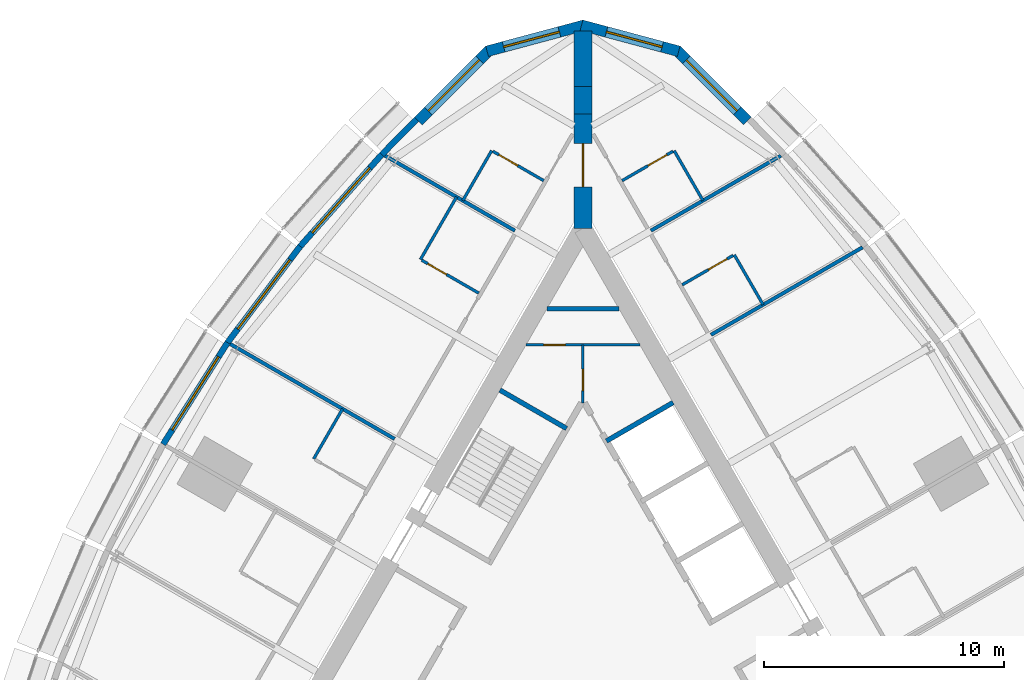
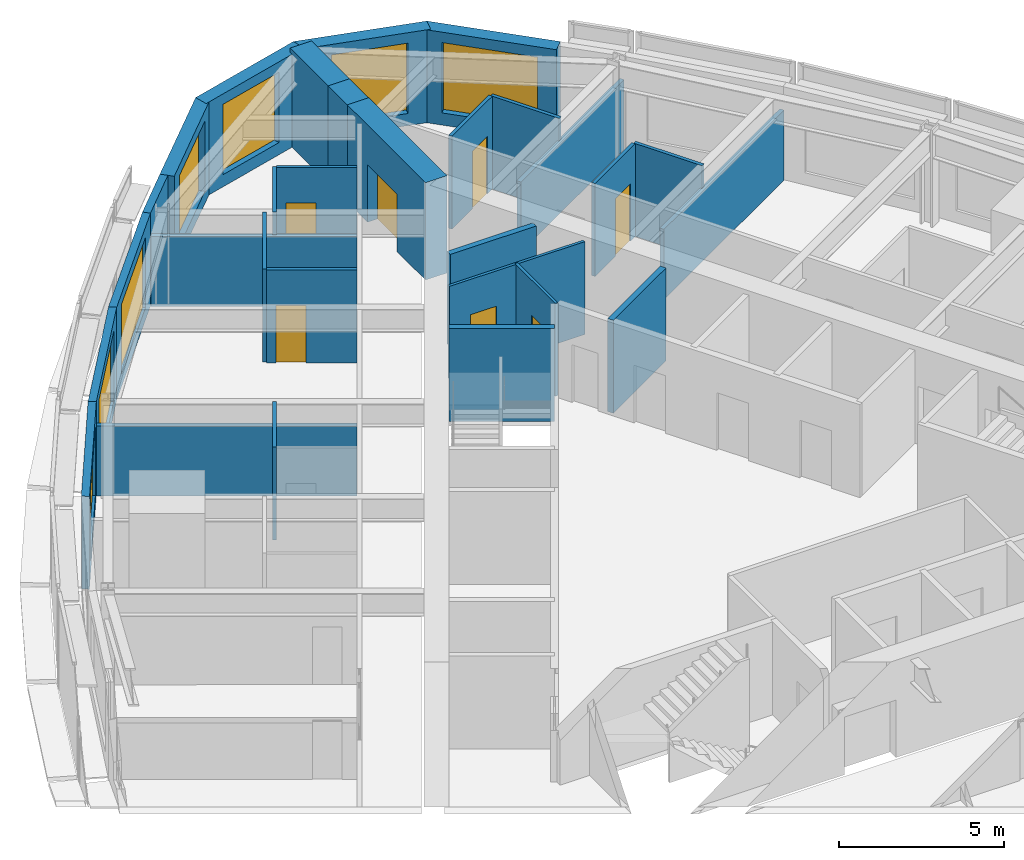
# One storey, part 13 of 15: 29 walls, 7 doors, 7 windows, 14 openings.
"""IFC4 building model written with IfcOpenShell, lengths in metres."""

import ifcopenshell
import ifcopenshell.guid

model = None  # the IFC model being written
_history = None  # IfcOwnerHistory: only IFC2X3 demands one
_inside = {}  # id of a spatial element -> (the spatial element, [elements in it])
_under = {}  # id of a project, library or spatial element -> (it, [spatial elements below it])
_declared = {}  # id of a project -> (the project, [libraries it declares])
_typed = {}  # id of a type object -> (the type object, [elements of that type])
_made_of = {}  # id of a material, layer set ... -> (it, [elements and type objects made of it])


def new_model(schema):
    """Start an empty IFC model of exactly this schema.

    Asked for "IFC4X3", IfcOpenShell would pick the latest addendum, in which some entities
    have other attributes; the version numbers below select the first issue.
    IFC2X3 requires an IfcOwnerHistory on every rooted entity: one is made here for all.
    """
    global model, _history
    if schema == "IFC4X3":
        model = ifcopenshell.file(schema_version=(4, 3, 0, 0))
    else:
        model = ifcopenshell.file(schema=schema)
    _inside.clear()
    _under.clear()
    _declared.clear()
    _typed.clear()
    _made_of.clear()
    _history = None
    if model.schema == "IFC2X3":
        org = make("IfcOrganization", Name="unknown")
        user = make(
            "IfcPersonAndOrganization",
            ThePerson=make("IfcPerson", FamilyName="unknown"),
            TheOrganization=org,
        )
        app = make(
            "IfcApplication",
            ApplicationDeveloper=org,
            Version="unknown",
            ApplicationFullName="unknown",
            ApplicationIdentifier="unknown",
        )
        _history = make(
            "IfcOwnerHistory",
            OwningUser=user,
            OwningApplication=app,
            ChangeAction="ADDED",
            CreationDate=0,
        )
    return model


def make(cls, **values):
    """One entity of the class cls with the attributes given. An attribute that is None is left unset."""
    return model.create_entity(
        cls, **{name: value for name, value in values.items() if value is not None}
    )


def rooted(cls, **values):
    """An entity with a GlobalId (a new one), such as an element, a storey or a relation."""
    return make(cls, GlobalId=ifcopenshell.guid.new(), OwnerHistory=_history, **values)


def si_unit(unit_type, name, prefix=None):
    """IfcSIUnit, for example si_unit("LENGTHUNIT", "METRE", prefix="MILLI")."""
    return make("IfcSIUnit", UnitType=unit_type, Prefix=prefix, Name=name)


def assignment(units):
    """IfcUnitAssignment: the units of a project."""
    return None if units is None else make("IfcUnitAssignment", Units=units)


def point(xyz):
    """IfcCartesianPoint."""
    return None if xyz is None else make("IfcCartesianPoint", Coordinates=xyz)


def direction(xyz):
    """IfcDirection."""
    return None if xyz is None else make("IfcDirection", DirectionRatios=xyz)


def frame(location, z_axis=None, x_axis=None):
    """IfcAxis2Placement3D, a coordinate frame: its origin and axes. An axis left out is left unset."""
    return make(
        "IfcAxis2Placement3D",
        Location=point(location),
        Axis=direction(z_axis),
        RefDirection=direction(x_axis),
    )


def frame_2d(location, x_axis=None):
    """IfcAxis2Placement2D, a coordinate frame in the plane: its origin and x axis."""
    return make(
        "IfcAxis2Placement2D", Location=point(location), RefDirection=direction(x_axis)
    )


def origin():
    """The frame at (0, 0, 0) with its axes left unset."""
    return frame((0.0, 0.0, 0.0))


def place(relative_to, where):
    """IfcLocalPlacement: puts the frame where relative to a parent placement (None: the world)."""
    return make(
        "IfcLocalPlacement", PlacementRelTo=relative_to, RelativePlacement=where
    )


def context(
    kind, dimensions, precision=None, world=None, true_north=None, identifier=None
):
    """IfcGeometricRepresentationContext, for example the 3D "Model" context."""
    return make(
        "IfcGeometricRepresentationContext",
        ContextIdentifier=identifier,
        ContextType=kind,
        CoordinateSpaceDimension=dimensions,
        Precision=precision,
        WorldCoordinateSystem=world,
        TrueNorth=true_north,
    )


def subcontext(parent, identifier, kind, view, scale=None):
    """IfcGeometricRepresentationSubContext, for example "Body" below "Model"."""
    return make(
        "IfcGeometricRepresentationSubContext",
        ContextIdentifier=identifier,
        ContextType=kind,
        ParentContext=parent,
        TargetScale=scale,
        TargetView=view,
    )


def project(units=None, contexts=None):
    """IfcProject with its units and contexts."""
    return rooted(
        "IfcProject",
        Name="project",
        RepresentationContexts=contexts,
        UnitsInContext=assignment(units),
    )


def spatial(cls, under=None, at=None, **own):
    """A site, building, storey or space (cls), placed at a placement, below another one or the project."""
    s = rooted(cls, ObjectPlacement=at, **own)
    if under is not None:
        _under.setdefault(under.id(), (under, []))[1].append(s)
    return s


def polyline(points):
    """IfcPolyline through the points."""
    return make("IfcPolyline", Points=[point(p) for p in points])


def profile(cls, at=None, kind="AREA", **sizes):
    """A parametric profile (cls). Its sizes go by their IFC names, for example OverallWidth=200.0."""
    return make(cls, ProfileType=kind, Position=at, **sizes)


def rectangle(**sizes):
    """IfcRectangleProfileDef."""
    return profile("IfcRectangleProfileDef", **sizes)


def outline(outer, holes=None, kind="AREA"):
    """IfcArbitraryClosedProfileDef: a profile drawn as a closed curve; with holes, ...WithVoids."""
    if holes is None:
        return make("IfcArbitraryClosedProfileDef", ProfileType=kind, OuterCurve=outer)
    return make(
        "IfcArbitraryProfileDefWithVoids",
        ProfileType=kind,
        OuterCurve=outer,
        InnerCurves=holes,
    )


def extrude(swept, where, along, depth):
    """IfcExtrudedAreaSolid: the profile swept, set in the frame where, extruded along a direction by depth."""
    return make(
        "IfcExtrudedAreaSolid",
        SweptArea=swept,
        Position=where,
        ExtrudedDirection=direction(along),
        Depth=depth,
    )


def shape(context_of_items, identifier, shape_type, items):
    """IfcShapeRepresentation: the items that make up one representation, for example the "Body"."""
    return make(
        "IfcShapeRepresentation",
        ContextOfItems=context_of_items,
        RepresentationIdentifier=identifier,
        RepresentationType=shape_type,
        Items=items,
    )


def material(Name=None, Category=None):
    """IfcMaterial."""
    return make("IfcMaterial", Name=Name, Category=Category)


def layer(
    of_material, thickness, ventilated=None, Name=None, Category=None, Priority=None
):
    """IfcMaterialLayer: one layer of a wall or slab, of a material (None: an air gap)."""
    return make(
        "IfcMaterialLayer",
        Material=of_material,
        LayerThickness=thickness,
        IsVentilated=ventilated,
        Name=Name,
        Category=Category,
        Priority=Priority,
    )


def layer_set(layers, Name=None):
    """IfcMaterialLayerSet."""
    return make("IfcMaterialLayerSet", MaterialLayers=layers, LayerSetName=Name)


def made_of(thing, what):
    """Note that an element or type object is made of a material, layer set ...; save() writes the relation."""
    if what is not None:
        _made_of.setdefault(what.id(), (what, []))[1].append(thing)
    return thing


def type_object(cls, material=None, **own):
    """A type object (cls), such as IfcWallType, which elements share."""
    return made_of(rooted(cls, **own), material)


def element(
    cls,
    number,
    at=None,
    inside=None,
    cuts=None,
    type_object=None,
    material=None,
    context=None,
    identifier="Body",
    shape_type=None,
    held_by="IfcProductDefinitionShape",
    body=None,
    shapes=None,
    **own,
):
    """One element of the class cls, such as IfcWall. Its Tag is "e" and its number.

    at: its placement. inside: the storey or other place that contains it. cuts: it is an
    opening in that element (IfcRelVoidsElement). A single representation is given by context,
    identifier, shape_type and body (its items); several are given by shapes. held_by: the class
    of the entity that holds the representations. save() writes the other relations.
    """
    e = rooted(cls, Tag="e%d" % number, ObjectPlacement=at, **own)
    if body is not None:
        shapes = [shape(context, identifier, shape_type, body)]
    if shapes is not None:
        e.Representation = make(held_by, Representations=shapes)
    if inside is not None:
        _inside.setdefault(inside.id(), (inside, []))[1].append(e)
    if cuts is not None:
        rooted(
            "IfcRelVoidsElement", RelatingBuildingElement=cuts, RelatedOpeningElement=e
        )
    if type_object is not None:
        _typed.setdefault(type_object.id(), (type_object, []))[1].append(e)
    return made_of(e, material)


def fill(opening, filler):
    """IfcRelFillsElement: the door or window that sits in an opening."""
    return rooted(
        "IfcRelFillsElement",
        RelatingOpeningElement=opening,
        RelatedBuildingElement=filler,
    )


def aggregate(whole, parts):
    """IfcRelAggregates: a whole, such as a stair, and the parts it consists of."""
    return rooted("IfcRelAggregates", RelatingObject=whole, RelatedObjects=parts)


def save(model, path):
    """Write the relations noted so far, then the file.

    IfcRelAggregates (storeys below a building ...), IfcRelContainedInSpatialStructure (elements
    in a storey), IfcRelDefinesByType, IfcRelAssociatesMaterial and IfcRelDeclares: one each for
    every whole, place, type object, material and project.
    """
    for whole, parts in _under.values():
        aggregate(whole, parts)
    for where, things in _inside.values():
        rooted(
            "IfcRelContainedInSpatialStructure",
            RelatedElements=things,
            RelatingStructure=where,
        )
    for kind, things in _typed.values():
        rooted("IfcRelDefinesByType", RelatedObjects=things, RelatingType=kind)
    for what, things in _made_of.values():
        rooted("IfcRelAssociatesMaterial", RelatedObjects=things, RelatingMaterial=what)
    for by, libraries in _declared.values():
        rooted("IfcRelDeclares", RelatingContext=by, RelatedDefinitions=libraries)
    model.write(path)


model = new_model("IFC4")

# Units and contexts
model_context = context("Model", 3, precision=1e-05, world=origin(), true_north=direction((0.0, 1.0)))
body_context = subcontext(model_context, "Body", "Model", "MODEL_VIEW")
ifc_project = project(units=[si_unit("LENGTHUNIT", "METRE"), si_unit("AREAUNIT", "SQUARE_METRE"), si_unit("VOLUMEUNIT", "CUBIC_METRE"), si_unit("PLANEANGLEUNIT", "RADIAN"), si_unit("MASSUNIT", "GRAM", prefix="KILO")], contexts=[model_context])

# Site, building, storey
site_placement = place(None, origin())
site = spatial("IfcSite", under=ifc_project, at=site_placement, CompositionType="ELEMENT")
building_placement = place(site_placement, origin())
building = spatial("IfcBuilding", under=site, at=building_placement, Name="Trikona Tower", CompositionType="ELEMENT")
storey_placement = place(building_placement, frame((0.0, 0.0, 204.5)))
storey = spatial("IfcBuildingStorey", under=building, at=storey_placement, Name="L54", CompositionType="ELEMENT", Elevation=204.5)

# Wall
ifc_material_1 = material(Name="Metal stud and cement board", Category="gypsum")
ifc_layer_1 = layer(ifc_material_1, 0.1201171875)
ifc_layer_set_1 = layer_set([ifc_layer_1], Name="Bathroom wall 120")
wall_type_1 = type_object("IfcWallType", Name="Bathroom wall 120", PredefinedType="PLUMBINGWALL", material=ifc_layer_set_1)
wall_1_placement = place(storey_placement, frame((7.493408203125, 15.873291015625, 0.0), z_axis=(0.0, 0.0, 1.0), x_axis=(-0.499957262057, 0.866050077142, 0.0)))
element("IfcWall", 1, at=wall_1_placement, inside=storey, type_object=wall_type_1, Name="Bathroom wall 5410", PredefinedType="PLUMBINGWALL", context=body_context, shape_type="SweptSolid", body=[
    extrude(rectangle(XDim=2.400146484375, YDim=0.1201171875, at=frame_2d((1.2001953125, 0.0))), origin(), (0.0, 0.0, 1.0), 3.43505859375),
])

# Wall, opening, door
wall_2_placement = place(storey_placement, frame((4.12841796875, 16.701904296875, 0.0), z_axis=(0.0, 0.0, 1.0), x_axis=(0.866048967903, 0.499959183527, 0.0)))
wall_2 = element("IfcWall", 2, at=wall_2_placement, inside=storey, type_object=wall_type_1, Name="Bathroom wall 5410", PredefinedType="PLUMBINGWALL", context=body_context, shape_type="SweptSolid", body=[
    extrude(rectangle(XDim=2.440185546875, YDim=0.1201171875, at=frame_2d((1.22021484375, 0.0))), origin(), (0.0, 0.0, 1.0), 3.43505859375),
])
opening_1_placement = place(wall_2_placement, frame((1.25, 0.0, 0.0)))
opening_1 = element("IfcOpeningElement", 3, at=opening_1_placement, cuts=wall_2, Name="Opening D2", PredefinedType="OPENING", context=body_context, shape_type="SweptSolid", body=[
    extrude(rectangle(XDim=0.89990234375, YDim=2.1298828125, at=frame_2d((0.449951171875, 1.06494140625))), frame((0.0, 0.070068359375, 0.0), z_axis=(0.0, -1.0, 0.0), x_axis=(1.0, 0.0, 0.0)), (0.0, 0.0, 1.0), 0.14013671875),
])
ifc_material_2 = material(Name="Steel door frame with solid-core timber leaf", Category="steel")
door_type_1 = type_object("IfcDoorType", Name="Bathroom door 900x2130", OperationType="SLIDING_TO_LEFT", PredefinedType="DOOR", material=ifc_material_2)
door_1_placement = place(opening_1_placement, origin())
door_1 = element("IfcDoor", 4, at=door_1_placement, inside=storey, type_object=door_type_1, Name="Bathroom door 5410", OperationType="SLIDING_TO_LEFT", OverallHeight=2.1298828125, OverallWidth=0.89990234375, PredefinedType="DOOR", context=body_context, shape_type="SweptSolid", body=[
    extrude(rectangle(XDim=0.89990234375, YDim=2.1298828125, at=frame_2d((0.449951171875, 1.06494140625))), frame((0.0, 0.02490234375, 0.0), z_axis=(0.0, -1.0, 0.0), x_axis=(1.0, 0.0, 0.0)), (0.0, 0.0, 1.0), 0.050048828125),
])
fill(opening_1, door_1)

# Wall
wall_3_placement = place(storey_placement, frame((4.993408203125, 20.20361328125, 0.0), z_axis=(0.0, 0.0, 1.0), x_axis=(-0.500001309137, 0.866024647952, 0.0)))
element("IfcWall", 5, at=wall_3_placement, inside=storey, type_object=wall_type_1, Name="Bathroom wall 5411", PredefinedType="PLUMBINGWALL", context=body_context, shape_type="SweptSolid", body=[
    extrude(rectangle(XDim=2.39990234375, YDim=0.1201171875, at=frame_2d((1.199951171875, 0.0))), origin(), (0.0, 0.0, 1.0), 3.43505859375),
])

# Wall, opening, door
wall_4_placement = place(storey_placement, frame((1.62841796875, 21.031982421875, 0.0), z_axis=(0.0, 0.0, 1.0), x_axis=(0.866048967903, 0.499959183527, 0.0)))
wall_4 = element("IfcWall", 6, at=wall_4_placement, inside=storey, type_object=wall_type_1, Name="Bathroom wall 5411", PredefinedType="PLUMBINGWALL", context=body_context, shape_type="SweptSolid", body=[
    extrude(rectangle(XDim=2.440185546875, YDim=0.1201171875, at=frame_2d((1.22021484375, 0.0))), origin(), (0.0, 0.0, 1.0), 3.43505859375),
])
opening_2_placement = place(wall_4_placement, frame((1.25, 0.0, 0.0)))
opening_2 = element("IfcOpeningElement", 7, at=opening_2_placement, cuts=wall_4, Name="Opening D2", PredefinedType="OPENING", context=body_context, shape_type="SweptSolid", body=[
    extrude(rectangle(XDim=0.89990234375, YDim=2.1298828125, at=frame_2d((0.449951171875, 1.06494140625))), frame((0.0, 0.070068359375, 0.0), z_axis=(0.0, -1.0, 0.0), x_axis=(1.0, 0.0, 0.0)), (0.0, 0.0, 1.0), 0.14013671875),
])
door_2_placement = place(opening_2_placement, origin())
door_2 = element("IfcDoor", 8, at=door_2_placement, inside=storey, type_object=door_type_1, Name="Bathroom door 5411", OperationType="SLIDING_TO_LEFT", OverallHeight=2.1298828125, OverallWidth=0.89990234375, PredefinedType="DOOR", context=body_context, shape_type="SweptSolid", body=[
    extrude(rectangle(XDim=0.89990234375, YDim=2.1298828125, at=frame_2d((0.449951171875, 1.06494140625))), frame((0.0, 0.02490234375, 0.0), z_axis=(0.0, -1.0, 0.0), x_axis=(1.0, 0.0, 0.0)), (0.0, 0.0, 1.0), 0.050048828125),
])
fill(opening_2, door_2)

# Wall
wall_5_placement = place(storey_placement, frame((-3.79345703125, 22.281982421875, 0.0), z_axis=(0.0, 0.0, 1.0), x_axis=(-0.500001309137, -0.866024647952, 0.0)))
element("IfcWall", 9, at=wall_5_placement, inside=storey, type_object=wall_type_1, Name="Bathroom wall 5412", PredefinedType="PLUMBINGWALL", context=body_context, shape_type="SweptSolid", body=[
    extrude(rectangle(XDim=2.39990234375, YDim=0.1201171875, at=frame_2d((1.199951171875, 0.0))), origin(), (0.0, 0.0, 1.0), 3.43505859375),
])

# Wall, opening, door
wall_6_placement = place(storey_placement, frame((-1.62841796875, 21.031982421875, 0.0), z_axis=(0.0, 0.0, 1.0), x_axis=(-0.866048967903, 0.499959183527, 0.0)))
wall_6 = element("IfcWall", 10, at=wall_6_placement, inside=storey, type_object=wall_type_1, Name="Bathroom wall 5412", PredefinedType="PLUMBINGWALL", context=body_context, shape_type="SweptSolid", body=[
    extrude(rectangle(XDim=2.440185546875, YDim=0.1201171875, at=frame_2d((1.22021484375, 0.0))), origin(), (0.0, 0.0, 1.0), 3.43505859375),
])
opening_3_placement = place(wall_6_placement, frame((1.25, 0.0, 0.0)))
opening_3 = element("IfcOpeningElement", 11, at=opening_3_placement, cuts=wall_6, Name="Opening D2", PredefinedType="OPENING", context=body_context, shape_type="SweptSolid", body=[
    extrude(rectangle(XDim=0.89990234375, YDim=2.1298828125, at=frame_2d((0.449951171875, 1.06494140625))), frame((0.0, 0.070068359375, 0.0), z_axis=(0.0, -1.0, 0.0), x_axis=(1.0, 0.0, 0.0)), (0.0, 0.0, 1.0), 0.14013671875),
])
door_3_placement = place(opening_3_placement, origin())
door_3 = element("IfcDoor", 12, at=door_3_placement, inside=storey, type_object=door_type_1, Name="Bathroom door 5412", OperationType="SLIDING_TO_LEFT", OverallHeight=2.1298828125, OverallWidth=0.89990234375, PredefinedType="DOOR", context=body_context, shape_type="SweptSolid", body=[
    extrude(rectangle(XDim=0.89990234375, YDim=2.1298828125, at=frame_2d((0.449951171875, 1.06494140625))), frame((0.0, 0.02490234375, 0.0), z_axis=(0.0, -1.0, 0.0), x_axis=(1.0, 0.0, 0.0)), (0.0, 0.0, 1.0), 0.050048828125),
])
fill(opening_3, door_3)

# Wall
wall_7_placement = place(storey_placement, frame((-5.25341796875, 20.353515625, 0.0), z_axis=(0.0, 0.0, 1.0), x_axis=(-0.499990139034, -0.866031096941, 0.0)))
element("IfcWall", 13, at=wall_7_placement, inside=storey, type_object=wall_type_1, Name="Bathroom wall 5413", PredefinedType="PLUMBINGWALL", context=body_context, shape_type="SweptSolid", body=[
    extrude(rectangle(XDim=3.0, YDim=0.1201171875, at=frame_2d((1.5, 0.0))), origin(), (0.0, 0.0, 1.0), 3.43505859375),
])

# Wall, opening, door
wall_8_placement = place(storey_placement, frame((-4.32861328125, 16.35546875, 0.0), z_axis=(0.0, 0.0, 1.0), x_axis=(-0.866035715982, 0.499982138324, 0.0)))
wall_8 = element("IfcWall", 14, at=wall_8_placement, inside=storey, type_object=wall_type_1, Name="Bathroom wall 5413", PredefinedType="PLUMBINGWALL", context=body_context, shape_type="SweptSolid", body=[
    extrude(rectangle(XDim=2.73974609375, YDim=0.1201171875, at=frame_2d((1.369873046875, 0.0))), origin(), (0.0, 0.0, 1.0), 3.43505859375),
])
opening_4_placement = place(wall_8_placement, frame((1.550048828125, 0.0, 0.0)))
opening_4 = element("IfcOpeningElement", 15, at=opening_4_placement, cuts=wall_8, Name="Opening D2", PredefinedType="OPENING", context=body_context, shape_type="SweptSolid", body=[
    extrude(rectangle(XDim=0.89990234375, YDim=2.1298828125, at=frame_2d((0.449951171875, 1.06494140625))), frame((0.0, 0.070068359375, 0.0), z_axis=(0.0, -1.0, 0.0), x_axis=(1.0, 0.0, 0.0)), (0.0, 0.0, 1.0), 0.14013671875),
])
door_4_placement = place(opening_4_placement, origin())
door_4 = element("IfcDoor", 16, at=door_4_placement, inside=storey, type_object=door_type_1, Name="Bathroom door 5413", OperationType="SLIDING_TO_LEFT", OverallHeight=2.1298828125, OverallWidth=0.89990234375, PredefinedType="DOOR", context=body_context, shape_type="SweptSolid", body=[
    extrude(rectangle(XDim=0.89990234375, YDim=2.1298828125, at=frame_2d((0.449951171875, 1.06494140625))), frame((0.0, 0.02490234375, 0.0), z_axis=(0.0, -1.0, 0.0), x_axis=(1.0, 0.0, 0.0)), (0.0, 0.0, 1.0), 0.050048828125),
])
fill(opening_4, door_4)

# Wall
wall_9_placement = place(storey_placement, frame((-9.993408203125, 11.543212890625, 0.0), z_axis=(0.0, 0.0, 1.0), x_axis=(-0.500077600433, -0.865980596518, 0.0)))
element("IfcWall", 17, at=wall_9_placement, inside=storey, type_object=wall_type_1, Name="Bathroom wall 5414", PredefinedType="PLUMBINGWALL", context=body_context, shape_type="SweptSolid", body=[
    extrude(rectangle(XDim=2.39990234375, YDim=0.1201171875, at=frame_2d((1.199951171875, 0.0))), origin(), (0.0, 0.0, 1.0), 3.43505859375),
])

# Wall, opening, window
ifc_material_3 = material(Name="Brick-faced precast concrete", Category="masonry")
ifc_layer_2 = layer(ifc_material_3, 0.449951171875)
ifc_layer_set_2 = layer_set([ifc_layer_2], Name="Brick-faced corner wall 450")
wall_type_2 = type_object("IfcWallType", Name="Brick-faced corner wall 450", PredefinedType="SOLIDWALL", material=ifc_layer_set_2)
wall_10_placement = place(storey_placement, frame((6.8408203125, 23.51220703125, 0.0), z_axis=(0.0, 0.0, 1.0), x_axis=(-0.707106781187, 0.707106781187, 0.0)))
wall_10 = element("IfcWall", 18, at=wall_10_placement, inside=storey, type_object=wall_type_2, Name="External wall L54-20", PredefinedType="SOLIDWALL", context=body_context, shape_type="SweptSolid", body=[
    extrude(rectangle(XDim=4.183837890625, YDim=0.449951171875, at=frame_2d((2.091796875, 0.0))), origin(), (0.0, 0.0, 1.0), 3.43505859375),
])
opening_5_placement = place(wall_10_placement, frame((0.592041015625, 0.0, 0.449951171875)))
opening_5 = element("IfcOpeningElement", 19, at=opening_5_placement, cuts=wall_10, Name="Opening W3026", PredefinedType="OPENING", context=body_context, shape_type="SweptSolid", body=[
    extrude(rectangle(XDim=3.0, YDim=2.60009765625, at=frame_2d((1.5, 1.300048828125))), frame((0.0, 0.23486328125, 0.0), z_axis=(0.0, -1.0, 0.0), x_axis=(1.0, 0.0, 0.0)), (0.0, 0.0, 1.0), 0.469970703125),
])
ifc_material_4 = material(Name="Aluminium-framed double glazing", Category="aluminium")
window_type_1 = type_object("IfcWindowType", Name="Window 3000x2600", PartitioningType="SINGLE_PANEL", PredefinedType="WINDOW", material=ifc_material_4)
window_1_placement = place(opening_5_placement, origin())
window_1 = element("IfcWindow", 20, at=window_1_placement, inside=storey, type_object=window_type_1, Name="Window 5411", OverallHeight=2.60009765625, OverallWidth=3.0, PartitioningType="SINGLE_PANEL", PredefinedType="WINDOW", context=body_context, shape_type="SweptSolid", body=[
    extrude(rectangle(XDim=3.0, YDim=2.60009765625, at=frame_2d((1.5, 1.300048828125))), frame((0.0, 0.030029296875, 0.0), z_axis=(0.0, -1.0, 0.0), x_axis=(1.0, 0.0, 0.0)), (0.0, 0.0, 1.0), 0.06005859375),
])
fill(opening_5, window_1)

wall_11_placement = place(storey_placement, frame((3.9833984375, 26.41259765625, 0.0), z_axis=(0.0, 0.0, 1.0), x_axis=(-0.965920442324, 0.258839137498, 0.0)))
wall_11 = element("IfcWall", 21, at=wall_11_placement, inside=storey, type_object=wall_type_2, Name="External wall L54-21", PredefinedType="SOLIDWALL", context=body_context, shape_type="SweptSolid", body=[
    extrude(outline(polyline([(4.18408203125, 0.22509765625), (4.124267578125, 0.22509765625), (3.70556640625, 0.11279296875), (3.675537109375, 0.22509765625), (0.0, 0.22509765625), (0.0, -0.22509765625), (4.18408203125, -0.22509765625), (4.18408203125, 0.22509765625)])), origin(), (0.0, 0.0, 1.0), 3.43505859375),
])
opening_6_placement = place(wall_11_placement, frame((0.712646484375, 0.0, 0.449951171875)))
opening_6 = element("IfcOpeningElement", 22, at=opening_6_placement, cuts=wall_11, Name="Opening W2426", PredefinedType="OPENING", context=body_context, shape_type="SweptSolid", body=[
    extrude(rectangle(XDim=2.39990234375, YDim=2.60009765625, at=frame_2d((1.199951171875, 1.300048828125))), frame((0.0, 0.23486328125, 0.0), z_axis=(0.0, -1.0, 0.0), x_axis=(1.0, 0.0, 0.0)), (0.0, 0.0, 1.0), 0.469970703125),
])
ifc_material_5 = material(Name="Aluminium-framed double glazing", Category="aluminium")
window_type_2 = type_object("IfcWindowType", Name="Window 2400x2600", PartitioningType="SINGLE_PANEL", PredefinedType="WINDOW", material=ifc_material_5)
window_2_placement = place(opening_6_placement, origin())
window_2 = element("IfcWindow", 23, at=window_2_placement, inside=storey, type_object=window_type_2, Name="Window 5411", OverallHeight=2.60009765625, OverallWidth=2.39990234375, PartitioningType="SINGLE_PANEL", PredefinedType="WINDOW", context=body_context, shape_type="SweptSolid", body=[
    extrude(rectangle(XDim=2.39990234375, YDim=2.60009765625, at=frame_2d((1.199951171875, 1.300048828125))), frame((0.0, 0.030029296875, 0.0), z_axis=(0.0, -1.0, 0.0), x_axis=(1.0, 0.0, 0.0)), (0.0, 0.0, 1.0), 0.06005859375),
])
fill(opening_6, window_2)

wall_12_placement = place(storey_placement, frame((0.05810546875, 27.49560546875, 0.0), z_axis=(0.0, 0.0, 1.0), x_axis=(-0.965920442324, -0.258839137498, 0.0)))
wall_12 = element("IfcWall", 24, at=wall_12_placement, inside=storey, type_object=wall_type_2, Name="External wall L54-22", PredefinedType="SOLIDWALL", context=body_context, shape_type="SweptSolid", body=[
    extrude(outline(polyline([(4.18408203125, 0.22509765625), (0.5087890625, 0.22509765625), (0.478515625, 0.11279296875), (0.059814453125, 0.22509765625), (0.0, 0.22509765625), (0.0, -0.22509765625), (4.18408203125, -0.22509765625), (4.18408203125, 0.22509765625)])), origin(), (0.0, 0.0, 1.0), 3.43505859375),
])
opening_7_placement = place(wall_12_placement, frame((1.0712890625, 0.0, 0.449951171875)))
opening_7 = element("IfcOpeningElement", 25, at=opening_7_placement, cuts=wall_12, Name="Opening W2426", PredefinedType="OPENING", context=body_context, shape_type="SweptSolid", body=[
    extrude(rectangle(XDim=2.39990234375, YDim=2.60009765625, at=frame_2d((1.199951171875, 1.300048828125))), frame((0.0, 0.23486328125, 0.0), z_axis=(0.0, -1.0, 0.0), x_axis=(1.0, 0.0, 0.0)), (0.0, 0.0, 1.0), 0.469970703125),
])
window_3_placement = place(opening_7_placement, origin())
window_3 = element("IfcWindow", 26, at=window_3_placement, inside=storey, type_object=window_type_2, Name="Window 5412", OverallHeight=2.60009765625, OverallWidth=2.39990234375, PartitioningType="SINGLE_PANEL", PredefinedType="WINDOW", context=body_context, shape_type="SweptSolid", body=[
    extrude(rectangle(XDim=2.39990234375, YDim=2.60009765625, at=frame_2d((1.199951171875, 1.300048828125))), frame((0.0, 0.030029296875, 0.0), z_axis=(0.0, -1.0, 0.0), x_axis=(1.0, 0.0, 0.0)), (0.0, 0.0, 1.0), 0.06005859375),
])
fill(opening_7, window_3)

wall_13_placement = place(storey_placement, frame((-3.88232421875, 26.470703125, 0.0), z_axis=(0.0, 0.0, 1.0), x_axis=(-0.707106781187, -0.707106781187, 0.0)))
wall_13 = element("IfcWall", 27, at=wall_13_placement, inside=storey, type_object=wall_type_2, Name="External wall L54-23", PredefinedType="SOLIDWALL", context=body_context, shape_type="SweptSolid", body=[
    extrude(rectangle(XDim=4.183837890625, YDim=0.449951171875, at=frame_2d((2.091796875, 0.0))), origin(), (0.0, 0.0, 1.0), 3.43505859375),
])
opening_8_placement = place(wall_13_placement, frame((0.592041015625, 0.0, 0.449951171875)))
opening_8 = element("IfcOpeningElement", 28, at=opening_8_placement, cuts=wall_13, Name="Opening W3026", PredefinedType="OPENING", context=body_context, shape_type="SweptSolid", body=[
    extrude(rectangle(XDim=3.0, YDim=2.60009765625, at=frame_2d((1.5, 1.300048828125))), frame((0.0, 0.23486328125, 0.0), z_axis=(0.0, -1.0, 0.0), x_axis=(1.0, 0.0, 0.0)), (0.0, 0.0, 1.0), 0.469970703125),
])
window_4_placement = place(opening_8_placement, origin())
window_4 = element("IfcWindow", 29, at=window_4_placement, inside=storey, type_object=window_type_1, Name="Window 5412", OverallHeight=2.60009765625, OverallWidth=3.0, PartitioningType="SINGLE_PANEL", PredefinedType="WINDOW", context=body_context, shape_type="SweptSolid", body=[
    extrude(rectangle(XDim=3.0, YDim=2.60009765625, at=frame_2d((1.5, 1.300048828125))), frame((0.0, 0.030029296875, 0.0), z_axis=(0.0, -1.0, 0.0), x_axis=(1.0, 0.0, 0.0)), (0.0, 0.0, 1.0), 0.06005859375),
])
fill(opening_8, window_4)

# Wall, opening, door
ifc_material_6 = material(Name="Concrete f'c 10000 psi", Category="concrete")
ifc_layer_3 = layer(ifc_material_6, 0.75)
ifc_layer_set_3 = layer_set([ifc_layer_3], Name="Buttress wall 750")
wall_type_3 = type_object("IfcWallType", Name="Buttress wall 750", PredefinedType="SHEAR", material=ifc_layer_set_3)
wall_14_placement = place(storey_placement, frame((0.0, 19.052490234375, 0.0), z_axis=(0.0, 0.0, 1.0), x_axis=(0.0, 1.0, 0.0)))
wall_14 = element("IfcWall", 30, at=wall_14_placement, inside=storey, type_object=wall_type_3, Name="Buttress wall 2", PredefinedType="SHEAR", context=body_context, shape_type="SweptSolid", body=[
    extrude(rectangle(XDim=4.74609375, YDim=0.75, at=frame_2d((2.373046875, 0.0))), origin(), (0.0, 0.0, 1.0), 3.60009765625),
])
opening_9_placement = place(wall_14_placement, frame((1.72509765625, 0.0, 0.0)))
opening_9 = element("IfcOpeningElement", 31, at=opening_9_placement, cuts=wall_14, Name="Opening D10", PredefinedType="OPENING", context=body_context, shape_type="SweptSolid", body=[
    extrude(rectangle(XDim=1.800048828125, YDim=2.1298828125, at=frame_2d((0.89990234375, 1.06494140625))), frame((0.0, 0.385009765625, 0.0), z_axis=(0.0, -1.0, 0.0), x_axis=(1.0, 0.0, 0.0)), (0.0, 0.0, 1.0), 0.77001953125),
])
ifc_material_7 = material(Name="Hollow metal door and frame", Category="steel")
door_type_2 = type_object("IfcDoorType", Name="Cross-corridor door pair 1800x2130", OperationType="DOUBLE_DOOR_DOUBLE_SWING", PredefinedType="DOOR", material=ifc_material_7)
door_5_placement = place(opening_9_placement, origin())
door_5 = element("IfcDoor", 32, at=door_5_placement, inside=storey, type_object=door_type_2, Name="Cross-corridor door 2", OperationType="DOUBLE_DOOR_DOUBLE_SWING", OverallHeight=2.1298828125, OverallWidth=1.800048828125, PredefinedType="DOOR", context=body_context, shape_type="SweptSolid", body=[
    extrude(rectangle(XDim=1.800048828125, YDim=2.1298828125, at=frame_2d((0.89990234375, 1.06494140625))), frame((0.0, 0.02490234375, 0.0), z_axis=(0.0, -1.0, 0.0), x_axis=(1.0, 0.0, 0.0)), (0.0, 0.0, 1.0), 0.050048828125),
])
fill(opening_9, door_5)

# Walls
wall_15_placement = place(storey_placement, frame((0.0, 23.798583984375, 0.0), z_axis=(0.0, 0.0, 1.0), x_axis=(0.0, 1.0, 0.0)))
element("IfcWall", 33, at=wall_15_placement, inside=storey, type_object=wall_type_3, Name="Buttress wall 2 part 2", PredefinedType="SHEAR", context=body_context, shape_type="SweptSolid", body=[
    extrude(rectangle(XDim=1.15478515625, YDim=0.75, at=frame_2d((0.577392578125, 0.0))), origin(), (0.0, 0.0, 1.0), 3.60009765625),
])
wall_16_placement = place(storey_placement, frame((0.0, 24.953369140625, 0.0), z_axis=(0.0, 0.0, 1.0), x_axis=(0.0, 1.0, 0.0)))
element("IfcWall", 34, at=wall_16_placement, inside=storey, type_object=wall_type_3, Name="Buttress wall 2 part 3", PredefinedType="SHEAR", context=body_context, shape_type="SweptSolid", body=[
    extrude(rectangle(XDim=2.309326171875, YDim=0.75, at=frame_2d((1.15478515625, 0.0))), origin(), (0.0, 0.0, 1.0), 3.60009765625),
])
ifc_material_8 = material(Name="Insulated precast concrete spandrel panel", Category="concrete")
ifc_layer_4 = layer(ifc_material_8, 0.25)
ifc_layer_set_4 = layer_set([ifc_layer_4], Name="Inner skin wall 250")
wall_type_4 = type_object("IfcWallType", Name="Inner skin wall 250", PredefinedType="STANDARD", material=ifc_layer_set_4)
wall_17_placement = place(storey_placement, frame((-6.9111328125, 23.58349609375, 0.0), z_axis=(0.0, 0.0, 1.0), x_axis=(-0.704149946111, -0.710051303352, 0.0)))
element("IfcWall", 35, at=wall_17_placement, inside=storey, type_object=wall_type_4, Name="External wall L54-24", PredefinedType="STANDARD", context=body_context, shape_type="SweptSolid", body=[
    extrude(rectangle(XDim=2.068603515625, YDim=0.25, at=frame_2d((1.0341796875, 0.0))), origin(), (0.0, 0.0, 1.0), 3.43505859375),
])

# Wall, opening, window
wall_18_placement = place(storey_placement, frame((-8.363037109375, 22.119873046875, 0.0), z_axis=(0.0, 0.0, 1.0), x_axis=(-0.664348996191, -0.747422511876, 0.0)))
wall_18 = element("IfcWall", 36, at=wall_18_placement, inside=storey, type_object=wall_type_4, Name="External wall L54-25", PredefinedType="STANDARD", context=body_context, shape_type="SweptSolid", body=[
    extrude(rectangle(XDim=5.104736328125, YDim=0.25, at=frame_2d((2.55224609375, 0.0))), origin(), (0.0, 0.0, 1.0), 3.43505859375),
])
opening_10_placement = place(wall_18_placement, frame((0.75244140625, 0.0, 0.449951171875)))
opening_10 = element("IfcOpeningElement", 37, at=opening_10_placement, cuts=wall_18, Name="Opening W3626", PredefinedType="OPENING", context=body_context, shape_type="SweptSolid", body=[
    extrude(rectangle(XDim=3.60009765625, YDim=2.60009765625, at=frame_2d((1.800048828125, 1.300048828125))), frame((0.0, 0.135009765625, 0.0), z_axis=(0.0, -1.0, 0.0), x_axis=(1.0, 0.0, 0.0)), (0.0, 0.0, 1.0), 0.27001953125),
])
ifc_material_9 = material(Name="Aluminium-framed double glazing", Category="aluminium")
window_type_3 = type_object("IfcWindowType", Name="Window 3600x2600", PartitioningType="SINGLE_PANEL", PredefinedType="WINDOW", material=ifc_material_9)
window_5_placement = place(opening_10_placement, origin())
window_5 = element("IfcWindow", 38, at=window_5_placement, inside=storey, type_object=window_type_3, Name="Window 5413", OverallHeight=2.60009765625, OverallWidth=3.60009765625, PartitioningType="SINGLE_PANEL", PredefinedType="WINDOW", context=body_context, shape_type="SweptSolid", body=[
    extrude(rectangle(XDim=3.60009765625, YDim=2.60009765625, at=frame_2d((1.800048828125, 1.300048828125))), frame((0.0, 0.030029296875, 0.0), z_axis=(0.0, -1.0, 0.0), x_axis=(1.0, 0.0, 0.0)), (0.0, 0.0, 1.0), 0.06005859375),
])
fill(opening_10, window_5)

wall_19_placement = place(storey_placement, frame((-11.748046875, 18.31201171875, 0.0), z_axis=(0.0, 0.0, 1.0), x_axis=(-0.602408653511, -0.798187831388, 0.0)))
wall_19 = element("IfcWall", 39, at=wall_19_placement, inside=storey, type_object=wall_type_4, Name="External wall L54-26", PredefinedType="STANDARD", context=body_context, shape_type="SweptSolid", body=[
    extrude(rectangle(XDim=5.037841796875, YDim=0.25, at=frame_2d((2.51904296875, 0.0))), origin(), (0.0, 0.0, 1.0), 3.43505859375),
])
opening_11_placement = place(wall_19_placement, frame((0.718994140625, 0.0, 0.449951171875)))
opening_11 = element("IfcOpeningElement", 40, at=opening_11_placement, cuts=wall_19, Name="Opening W3626", PredefinedType="OPENING", context=body_context, shape_type="SweptSolid", body=[
    extrude(rectangle(XDim=3.60009765625, YDim=2.60009765625, at=frame_2d((1.800048828125, 1.300048828125))), frame((0.0, 0.135009765625, 0.0), z_axis=(0.0, -1.0, 0.0), x_axis=(1.0, 0.0, 0.0)), (0.0, 0.0, 1.0), 0.27001953125),
])
window_6_placement = place(opening_11_placement, origin())
window_6 = element("IfcWindow", 41, at=window_6_placement, inside=storey, type_object=window_type_3, Name="Window 5413", OverallHeight=2.60009765625, OverallWidth=3.60009765625, PartitioningType="SINGLE_PANEL", PredefinedType="WINDOW", context=body_context, shape_type="SweptSolid", body=[
    extrude(rectangle(XDim=3.60009765625, YDim=2.60009765625, at=frame_2d((1.800048828125, 1.300048828125))), frame((0.0, 0.030029296875, 0.0), z_axis=(0.0, -1.0, 0.0), x_axis=(1.0, 0.0, 0.0)), (0.0, 0.0, 1.0), 0.06005859375),
])
fill(opening_11, window_6)

wall_20_placement = place(storey_placement, frame((-14.777099609375, 14.29931640625, 0.0), z_axis=(0.0, 0.0, 1.0), x_axis=(-0.535220361449, -0.844712474568, 0.0)))
wall_20 = element("IfcWall", 42, at=wall_20_placement, inside=storey, type_object=wall_type_4, Name="External wall L54-27", PredefinedType="STANDARD", context=body_context, shape_type="SweptSolid", body=[
    extrude(rectangle(XDim=5.00439453125, YDim=0.25, at=frame_2d((2.502197265625, 0.0))), origin(), (0.0, 0.0, 1.0), 3.43505859375),
])
opening_12_placement = place(wall_20_placement, frame((0.7021484375, 0.0, 0.449951171875)))
opening_12 = element("IfcOpeningElement", 43, at=opening_12_placement, cuts=wall_20, Name="Opening W3626", PredefinedType="OPENING", context=body_context, shape_type="SweptSolid", body=[
    extrude(rectangle(XDim=3.60009765625, YDim=2.60009765625, at=frame_2d((1.800048828125, 1.300048828125))), frame((0.0, 0.135009765625, 0.0), z_axis=(0.0, -1.0, 0.0), x_axis=(1.0, 0.0, 0.0)), (0.0, 0.0, 1.0), 0.27001953125),
])
window_7_placement = place(opening_12_placement, origin())
window_7 = element("IfcWindow", 44, at=window_7_placement, inside=storey, type_object=window_type_3, Name="Window 5414", OverallHeight=2.60009765625, OverallWidth=3.60009765625, PartitioningType="SINGLE_PANEL", PredefinedType="WINDOW", context=body_context, shape_type="SweptSolid", body=[
    extrude(rectangle(XDim=3.60009765625, YDim=2.60009765625, at=frame_2d((1.800048828125, 1.300048828125))), frame((0.0, 0.030029296875, 0.0), z_axis=(0.0, -1.0, 0.0), x_axis=(1.0, 0.0, 0.0)), (0.0, 0.0, 1.0), 0.06005859375),
])
fill(opening_12, window_7)

# Walls
ifc_material_10 = material(Name="Metal stud and gypsum board, 1-hour acoustic", Category="gypsum")
ifc_layer_5 = layer(ifc_material_10, 0.14990234375)
ifc_layer_set_5 = layer_set([ifc_layer_5], Name="Party wall 150")
wall_type_5 = type_object("IfcWallType", Name="Party wall 150", PredefinedType="PARTITIONING", material=ifc_layer_set_5)
wall_21_placement = place(storey_placement, frame((5.32861328125, 14.623291015625, 0.0), z_axis=(0.0, 0.0, 1.0), x_axis=(0.866017877653, 0.500013035415, 0.0)))
element("IfcWall", 45, at=wall_21_placement, inside=storey, type_object=wall_type_5, Name="Partition L54 F2 u10", PredefinedType="PARTITIONING", context=body_context, shape_type="SweptSolid", body=[
    extrude(rectangle(XDim=7.272705078125, YDim=0.14990234375, at=frame_2d((3.63623046875, 0.0))), origin(), (0.0, 0.0, 1.0), 2.589111328125),
])
for number, where, z_axis, x_axis, name in (
    (46, (2.82861328125, 18.95361328125, 0.0), (0.0, 0.0, 1.0), (0.866026604282, 0.499997920671, 0.0), "Partition L54 F2 u15"),
    (47, (-2.82861328125, 18.95361328125, 0.0), (0.0, 0.0, 1.0), (-0.866026604282, 0.499997920671, 0.0), "Partition L54 F3 u-15"),
):
    element("IfcWall", number, at=place(storey_placement, frame(where, z_axis=z_axis, x_axis=x_axis)), inside=storey, type_object=wall_type_5, Name=name, PredefinedType="PARTITIONING", context=body_context, shape_type="SweptSolid", body=[
        extrude(rectangle(XDim=6.23974609375, YDim=0.14990234375, at=frame_2d((3.119873046875, 0.0))), origin(), (0.0, 0.0, 1.0), 2.589111328125),
    ])
wall_22_placement = place(storey_placement, frame((-7.82861328125, 10.293212890625, 0.0), z_axis=(0.0, 0.0, 1.0), x_axis=(-0.866030558329, 0.49999107196, 0.0)))
element("IfcWall", 48, at=wall_22_placement, inside=storey, type_object=wall_type_5, Name="Partition L54 F3 u-5", PredefinedType="PARTITIONING", context=body_context, shape_type="SweptSolid", body=[
    extrude(rectangle(XDim=7.893798828125, YDim=0.14990234375, at=frame_2d((3.94677734375, 0.0))), origin(), (0.0, 0.0, 1.0), 2.589111328125),
])
ifc_material_11 = material(Name="Concrete f'c 8000 psi", Category="concrete")
ifc_layer_6 = layer(ifc_material_11, 0.199951171875)
ifc_layer_set_6 = layer_set([ifc_layer_6], Name="Shaft wall 200")
wall_type_6 = type_object("IfcWallType", Name="Shaft wall 200", PredefinedType="SOLIDWALL", material=ifc_layer_set_6)
wall_23_placement = place(storey_placement, frame((0.97900390625, 10.20703125, 0.0), z_axis=(0.0, 0.0, 1.0), x_axis=(0.866042017984, 0.499971222258, 0.0)))
element("IfcWall", 49, at=wall_23_placement, inside=storey, type_object=wall_type_6, Name="Shaft wall B6", PredefinedType="SOLIDWALL", context=body_context, shape_type="SweptSolid", body=[
    extrude(rectangle(XDim=3.199951171875, YDim=0.199951171875, at=frame_2d((1.60009765625, 0.0))), origin(), (0.0, 0.0, 1.0), 3.43505859375),
])
wall_24_placement = place(storey_placement, frame((-1.501220703125, 15.70263671875, 0.0), z_axis=(0.0, 0.0, 1.0), x_axis=(1.0, 0.0, 0.0)))
element("IfcWall", 50, at=wall_24_placement, inside=storey, type_object=wall_type_6, Name="Riser wall L54-RS2", PredefinedType="SOLIDWALL", context=body_context, shape_type="SweptSolid", body=[
    extrude(rectangle(XDim=3.00244140625, YDim=0.199951171875, at=frame_2d((1.501220703125, 0.0))), origin(), (0.0, 0.0, 1.0), 3.43505859375),
])
ifc_material_12 = material(Name="Concrete f'c 8000 psi", Category="concrete")
ifc_layer_7 = layer(ifc_material_12, 0.199951171875)
ifc_layer_set_7 = layer_set([ifc_layer_7], Name="Shaft wall 200 load-bearing")
wall_type_7 = type_object("IfcWallType", Name="Shaft wall 200 load-bearing", PredefinedType="SOLIDWALL", material=ifc_layer_set_7)
wall_25_placement = place(storey_placement, frame((-0.678955078125, 10.7265625, 0.0), z_axis=(0.0, 0.0, 1.0), x_axis=(-0.866008981251, 0.500028443584, 0.0)))
element("IfcWall", 51, at=wall_25_placement, inside=storey, type_object=wall_type_7, Name="Shaft wall C1", PredefinedType="SOLIDWALL", context=body_context, shape_type="SweptSolid", body=[
    extrude(rectangle(XDim=3.199951171875, YDim=0.199951171875, at=frame_2d((1.60009765625, 0.0))), origin(), (0.0, 0.0, 1.0), 3.43505859375),
])

# Wall, opening, door
ifc_material_13 = material(Name="Metal stud and gypsum board, acoustic", Category="gypsum")
ifc_layer_8 = layer(ifc_material_13, 0.10009765625)
ifc_layer_set_8 = layer_set([ifc_layer_8], Name="Suite partition 100")
wall_type_8 = type_object("IfcWallType", Name="Suite partition 100", PredefinedType="PARTITIONING", material=ifc_layer_set_8)
wall_26_placement = place(storey_placement, frame((-2.3671875, 14.20263671875, 0.0), z_axis=(0.0, 0.0, 1.0), x_axis=(1.0, 0.0, 0.0)))
wall_26 = element("IfcWall", 52, at=wall_26_placement, inside=storey, type_object=wall_type_8, Name="Store partition L54-RS2", PredefinedType="PARTITIONING", context=body_context, shape_type="SweptSolid", body=[
    extrude(rectangle(XDim=4.734375, YDim=0.10009765625, at=frame_2d((2.3671875, 0.0))), origin(), (0.0, 0.0, 1.0), 3.43505859375),
])
opening_13_placement = place(wall_26_placement, frame((0.733642578125, 0.0, 0.0)))
opening_13 = element("IfcOpeningElement", 53, at=opening_13_placement, cuts=wall_26, Name="Opening D15", PredefinedType="OPENING", context=body_context, shape_type="SweptSolid", body=[
    extrude(rectangle(XDim=0.89990234375, YDim=2.1298828125, at=frame_2d((0.449951171875, 1.06494140625))), frame((0.0, 0.06005859375, 0.0), z_axis=(0.0, -1.0, 0.0), x_axis=(1.0, 0.0, 0.0)), (0.0, 0.0, 1.0), 0.1201171875),
])
ifc_material_14 = material(Name="Steel door frame with solid-core timber leaf", Category="steel")
door_type_3 = type_object("IfcDoorType", Name="Store door 900x2130", OperationType="SINGLE_SWING_LEFT", PredefinedType="DOOR", material=ifc_material_14)
door_6_placement = place(opening_13_placement, origin())
door_6 = element("IfcDoor", 54, at=door_6_placement, inside=storey, type_object=door_type_3, Name="Door Cleaner's store CLN", OperationType="SINGLE_SWING_LEFT", OverallHeight=2.1298828125, OverallWidth=0.89990234375, PredefinedType="DOOR", context=body_context, shape_type="SweptSolid", body=[
    extrude(rectangle(XDim=0.89990234375, YDim=2.1298828125, at=frame_2d((0.449951171875, 1.06494140625))), frame((0.0, 0.02490234375, 0.0), z_axis=(0.0, -1.0, 0.0), x_axis=(1.0, 0.0, 0.0)), (0.0, 0.0, 1.0), 0.050048828125),
])
fill(opening_13, door_6)

wall_27_placement = place(storey_placement, frame((0.0, 14.20263671875, 0.0), z_axis=(0.0, 0.0, 1.0), x_axis=(0.0, -1.0, 0.0)))
wall_27 = element("IfcWall", 55, at=wall_27_placement, inside=storey, type_object=wall_type_8, Name="Store partition L54-RS2", PredefinedType="PARTITIONING", context=body_context, shape_type="SweptSolid", body=[
    extrude(rectangle(XDim=2.42529296875, YDim=0.10009765625, at=frame_2d((1.212646484375, 0.0))), origin(), (0.0, 0.0, 1.0), 3.43505859375),
])
opening_14_placement = place(wall_27_placement, frame((1.005126953125, 0.0, 0.0)))
opening_14 = element("IfcOpeningElement", 56, at=opening_14_placement, cuts=wall_27, Name="Opening D15", PredefinedType="OPENING", context=body_context, shape_type="SweptSolid", body=[
    extrude(rectangle(XDim=0.89990234375, YDim=2.1298828125, at=frame_2d((0.449951171875, 1.06494140625))), frame((0.0, 0.06005859375, 0.0), z_axis=(0.0, -1.0, 0.0), x_axis=(1.0, 0.0, 0.0)), (0.0, 0.0, 1.0), 0.1201171875),
])
door_7_placement = place(opening_14_placement, origin())
door_7 = element("IfcDoor", 57, at=door_7_placement, inside=storey, type_object=door_type_3, Name="Door Uniform store UNF", OperationType="SINGLE_SWING_RIGHT", OverallHeight=2.1298828125, OverallWidth=0.89990234375, PredefinedType="DOOR", context=body_context, shape_type="SweptSolid", body=[
    extrude(rectangle(XDim=0.89990234375, YDim=2.1298828125, at=frame_2d((0.449951171875, 1.06494140625))), frame((0.0, 0.02490234375, 0.0), z_axis=(0.0, -1.0, 0.0), x_axis=(1.0, 0.0, 0.0)), (0.0, 0.0, 1.0), 0.050048828125),
])
fill(opening_14, door_7)

save(model, "model.ifc")
